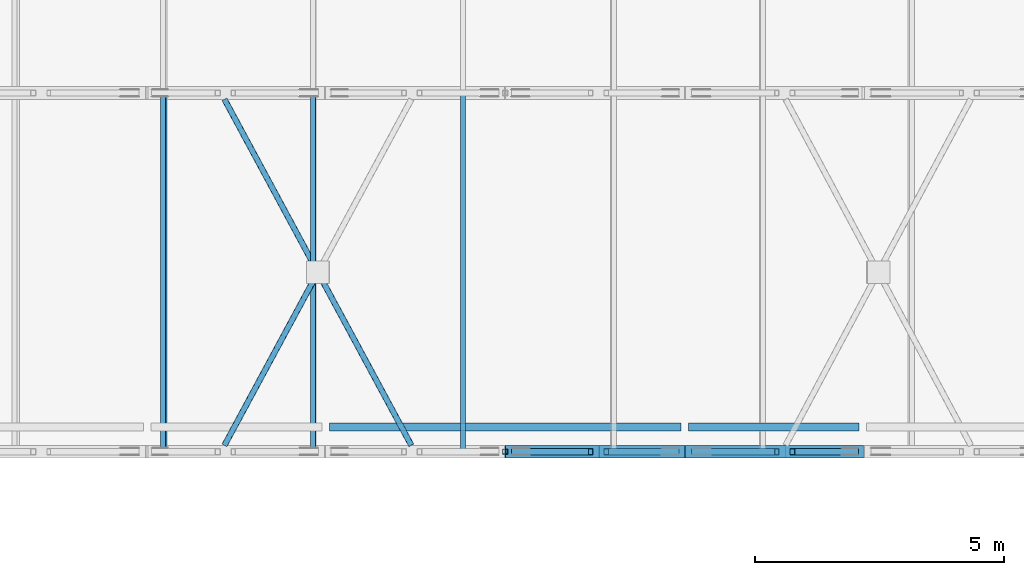
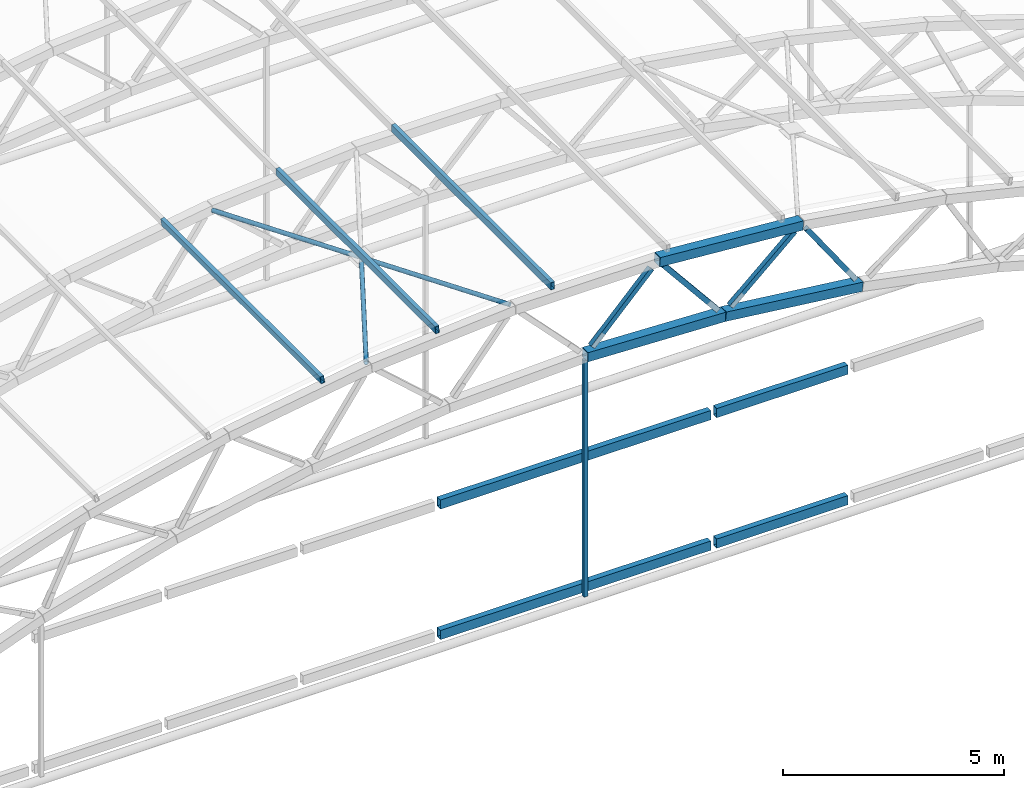
# One storey, part 48 of 127: 13 members, 4 beams.
"""IFC4 building model written with IfcOpenShell, lengths in metres."""

from ifc_helpers import new_model, si_unit, direction, frame, origin, origin_2d, place, context, subcontext, project, spatial, hollow_rectangle, hollow_circle, extrude, material, material_profile, profile_set, type_object, element, save


model = new_model("IFC4")

# Units and contexts
model_context = context("Model", 3, precision=1e-05, world=origin(), true_north=direction((0.0, 1.0)))
body_context = subcontext(model_context, "Body", "Model", "MODEL_VIEW")
ifc_project = project(units=[si_unit("LENGTHUNIT", "METRE"), si_unit("AREAUNIT", "SQUARE_METRE"), si_unit("VOLUMEUNIT", "CUBIC_METRE"), si_unit("PLANEANGLEUNIT", "RADIAN"), si_unit("MASSUNIT", "GRAM", prefix="KILO")], contexts=[model_context])

# Site, building, storey
site_placement = place(None, origin())
site = spatial("IfcSite", under=ifc_project, at=site_placement, CompositionType="ELEMENT")
building_placement = place(site_placement, origin())
building = spatial("IfcBuilding", under=site, at=building_placement, Name="Verrick Yard Athletic Hall", CompositionType="ELEMENT")
storey_placement = place(building_placement, frame((0.0, 0.0, 14.0)))
storey = spatial("IfcBuildingStorey", under=building, at=storey_placement, Name="L03", CompositionType="ELEMENT", Elevation=14.0)

# Members
ifc_material = material(Name="Structural steel HSS Class C 350W (CSA G40.20/G40.21)", Category="steel")
ifc_material_profile_1 = material_profile(ifc_material, hollow_rectangle(XDim=0.25390625, YDim=0.25390625, WallThickness=0.009521484375, at=origin_2d()), Name="HSS254x254x9.5")
ifc_profile_set_1 = profile_set([ifc_material_profile_1], Name="Structural steel HSS Class C 350W (CSA G40.20/G40.21)")
member_type_1 = type_object("IfcMemberType", Name="HB bottom chord HSS254x254x9.5", PredefinedType="CHORD", material=ifc_profile_set_1)
member_1_placement = place(storey_placement, frame((145.60498046875, 72.0, 6.757080078125), z_axis=(0.999229759959, 0.0, -0.039241391579), x_axis=(0.0, 1.0, 0.0)))
element("IfcMember", 1, at=member_1_placement, inside=storey, type_object=member_type_1, Name="Truss TA1 bottom chord 8", PredefinedType="CHORD", context=body_context, shape_type="SweptSolid", body=[
    extrude(hollow_rectangle(XDim=0.25390625, YDim=0.25390625, WallThickness=0.009521484375, at=origin_2d()), origin(), (0.0, 0.0, 1.0), 3.595947265625),
])
member_2_placement = place(storey_placement, frame((149.208251953125, 72.0, 6.615234375), z_axis=(0.993094882284, 0.0, -0.117313915545), x_axis=(0.0, 1.0, 0.0)))
element("IfcMember", 2, at=member_2_placement, inside=storey, type_object=member_type_1, Name="Truss TA1 bottom chord 9", PredefinedType="CHORD", context=body_context, shape_type="SweptSolid", body=[
    extrude(hollow_rectangle(XDim=0.25390625, YDim=0.25390625, WallThickness=0.009521484375, at=origin_2d()), origin(), (0.0, 0.0, 1.0), 3.59619140625),
])
ifc_material_profile_2 = material_profile(ifc_material, hollow_rectangle(XDim=0.1015625, YDim=0.203125, WallThickness=0.009521484375, at=origin_2d()), Name="HSS203x102x9.5")
ifc_profile_set_2 = profile_set([ifc_material_profile_2], Name="Structural steel HSS Class C 350W (CSA G40.20/G40.21)")
member_type_2 = type_object("IfcMemberType", Name="HB purlin HSS203x102x9.5", PredefinedType="PURLIN", material=ifc_profile_set_2)
for number, where, z_axis, x_axis, name in (
    (3, (138.750244140625, 72.0, 8.464599609375), (0.0, 1.0, 0.0), (-0.987728086354, 0.0, -0.156183313539), "HB-PU-A-1-7"),
    (4, (141.747802734375, 72.0, 8.794677734375), (0.0, 1.0, 0.0), (-0.996927304266, 0.0, -0.078332305011), "HB-PU-A-1-8"),
    (5, (144.759765625, 72.0, 8.948974609375), (0.0, 1.0, 0.0), (-1.0, 0.0, 0.0), "HB-PU-A-1-9"),
):
    element("IfcMember", number, at=place(storey_placement, frame(where, z_axis=z_axis, x_axis=x_axis)), inside=storey, type_object=member_type_2, Name=name, PredefinedType="PURLIN", context=body_context, shape_type="SweptSolid", body=[
        extrude(hollow_rectangle(XDim=0.1015625, YDim=0.203125, WallThickness=0.009521484375, at=origin_2d()), origin(), (0.0, 0.0, 1.0), 7.199951171875),
    ])
ifc_material_profile_3 = material_profile(ifc_material, hollow_circle(Radius=0.05712890625, WallThickness=0.00634765625, at=origin_2d()), Name="HSS114x6.4")
ifc_profile_set_3 = profile_set([ifc_material_profile_3], Name="Structural steel HSS Class C 350W (CSA G40.20/G40.21)")
member_type_3 = type_object("IfcMemberType", Name="HB roof brace HSS114x6.4", PredefinedType="BRACE", material=ifc_profile_set_3)
member_3_placement = place(storey_placement, frame((139.96728515625, 72.126953125, 8.425537109375), z_axis=(0.474826532097, 0.879289576489, 0.037277407294), x_axis=(-0.879901146581, 0.475156787013, 0.0)))
element("IfcMember", 6, at=member_3_placement, inside=storey, type_object=member_type_3, Name="HB-BR-A-1-5b1", PredefinedType="BRACE", context=body_context, shape_type="SweptSolid", body=[
    extrude(hollow_circle(Radius=0.05712890625, WallThickness=0.00634765625, at=origin_2d()), origin(), (0.0, 0.0, 1.0), 3.844482421875),
])
member_4_placement = place(storey_placement, frame((143.718505859375, 72.126953125, 8.72021484375), z_axis=(-0.474853160212, 0.879274146514, -0.037302164945), x_axis=(-0.879886519322, -0.475183872953, 0.0)))
element("IfcMember", 7, at=member_4_placement, inside=storey, type_object=member_type_3, Name="HB-BR-A-1-5a", PredefinedType="BRACE", context=body_context, shape_type="SweptSolid", body=[
    extrude(hollow_circle(Radius=0.05712890625, WallThickness=0.00634765625, at=origin_2d()), origin(), (0.0, 0.0, 1.0), 7.899658203125),
])
ifc_material_profile_4 = material_profile(ifc_material, hollow_rectangle(XDim=0.25390625, YDim=0.25390625, WallThickness=0.009521484375, at=origin_2d()), Name="HSS254x254x9.5")
ifc_profile_set_4 = profile_set([ifc_material_profile_4], Name="Structural steel HSS Class C 350W (CSA G40.20/G40.21)")
member_type_4 = type_object("IfcMemberType", Name="HB top chord HSS254x254x9.5", PredefinedType="CHORD", material=ifc_profile_set_4)
member_5_placement = place(storey_placement, frame((147.486328125, 72.0, 8.719970703125), z_axis=(0.996928028323, 0.0, -0.078323089468), x_axis=(0.0, 1.0, 0.0)))
element("IfcMember", 8, at=member_5_placement, inside=storey, type_object=member_type_4, Name="Truss TA1 top chord 9", PredefinedType="CHORD", context=body_context, shape_type="SweptSolid", body=[
    extrude(hollow_rectangle(XDim=0.25390625, YDim=0.25390625, WallThickness=0.009521484375, at=origin_2d()), origin(), (0.0, 0.0, 1.0), 3.7529296875),
])
ifc_material_profile_5 = material_profile(ifc_material, hollow_rectangle(XDim=0.1015625, YDim=0.1015625, WallThickness=0.00634765625, at=origin_2d()), Name="HSS102x102x6.4")
ifc_profile_set_5 = profile_set([ifc_material_profile_5], Name="Structural steel HSS Class C 350W (CSA G40.20/G40.21)")
member_type_5 = type_object("IfcMemberType", Name="HB truss hanger HSS102x102x6.4", PredefinedType="MEMBER", material=ifc_profile_set_5)
member_6_placement = place(storey_placement, frame((145.60009765625, 72.0, 6.628173828125), z_axis=(0.0, 0.0, -1.0), x_axis=(0.0, -1.0, 0.0)))
element("IfcMember", 9, at=member_6_placement, inside=storey, type_object=member_type_5, Name="Truss TA1 hanger 2", PredefinedType="MEMBER", context=body_context, shape_type="SweptSolid", body=[
    extrude(hollow_rectangle(XDim=0.1015625, YDim=0.1015625, WallThickness=0.00634765625, at=origin_2d()), origin(), (0.0, 0.0, 1.0), 6.5185546875),
])
ifc_material_profile_6 = material_profile(ifc_material, hollow_rectangle(XDim=0.126953125, YDim=0.126953125, WallThickness=0.009521484375, at=origin_2d()), Name="HSS127x127x9.5")
ifc_profile_set_6 = profile_set([ifc_material_profile_6], Name="Structural steel HSS Class C 350W (CSA G40.20/G40.21)")
member_type_6 = type_object("IfcMemberType", Name="HB truss web HSS127x127x9.5", PredefinedType="BRACE", material=ifc_profile_set_6)
member_7_placement = place(storey_placement, frame((145.772216796875, 72.0, 6.936767578125), z_axis=(0.691917233653, 0.0, 0.721976829112), x_axis=(0.0, 1.0, 0.0)))
element("IfcMember", 10, at=member_7_placement, inside=storey, type_object=member_type_6, Name="Truss TA1 web 15", PredefinedType="BRACE", context=body_context, shape_type="SweptSolid", body=[
    extrude(hollow_rectangle(XDim=0.126953125, YDim=0.126953125, WallThickness=0.009521484375, at=origin_2d()), origin(), (0.0, 0.0, 1.0), 2.2333984375),
])
for number, where, z_axis, x_axis, name in (
    (11, (147.63134765625, 72.0, 8.537109375), (0.633202076169, 0.0, -0.773986518445), (0.0, 1.0, 0.0), "Truss TA1 web 16"),
    (12, (149.388916015625, 72.0, 6.781494140625), (0.746340924984, 0.0, 0.665563838932), (0.0, 1.0, 0.0), "Truss TA1 web 17"),
    (13, (151.367919921875, 72.0, 8.231201171875), (0.570664111571, 0.0, -0.821183579819), (0.0, 1.0, 0.0), "Truss TA1 web 18"),
):
    element("IfcMember", number, at=place(storey_placement, frame(where, z_axis=z_axis, x_axis=x_axis)), inside=storey, type_object=member_type_6, Name=name, PredefinedType="BRACE", context=body_context, shape_type="SweptSolid", body=[
        extrude(hollow_rectangle(XDim=0.126953125, YDim=0.126953125, WallThickness=0.009521484375, at=origin_2d()), origin(), (0.0, 0.0, 1.0), 2.233642578125),
    ])

# Beams
ifc_material_profile_7 = material_profile(ifc_material, hollow_rectangle(XDim=0.15234375, YDim=0.25390625, WallThickness=0.009521484375, at=origin_2d()), Name="HSS254x152x9.5")
ifc_profile_set_7 = profile_set([ifc_material_profile_7], Name="Structural steel HSS Class C 350W (CSA G40.20/G40.21)")
beam_type = type_object("IfcBeamType", Name="HB wind girder HSS254x152x9.5", PredefinedType="BEAM", material=ifc_profile_set_7)
beam_1_placement = place(storey_placement, frame((142.072998046875, 72.49462890625, 0.0), z_axis=(1.0, 0.0, 0.0), x_axis=(0.0, 1.0, 0.0)))
element("IfcBeam", 14, at=beam_1_placement, inside=storey, type_object=beam_type, Name="HB-WG-AS-140-5", PredefinedType="BEAM", context=body_context, shape_type="SweptSolid", body=[
    extrude(hollow_rectangle(XDim=0.15234375, YDim=0.25390625, WallThickness=0.009521484375, at=origin_2d()), origin(), (0.0, 0.0, 1.0), 7.05419921875),
])
beam_2_placement = place(storey_placement, frame((149.279541015625, 72.49462890625, 0.0), z_axis=(1.0, 0.0, 0.0), x_axis=(0.0, 1.0, 0.0)))
element("IfcBeam", 15, at=beam_2_placement, inside=storey, type_object=beam_type, Name="HB-WG-AS-140-6", PredefinedType="BEAM", context=body_context, shape_type="SweptSolid", body=[
    extrude(hollow_rectangle(XDim=0.15234375, YDim=0.25390625, WallThickness=0.009521484375, at=origin_2d()), origin(), (0.0, 0.0, 1.0), 3.4287109375),
])
beam_3_placement = place(storey_placement, frame((142.072998046875, 72.49462890625, 3.60009765625), z_axis=(1.0, 0.0, 0.0), x_axis=(0.0, 1.0, 0.0)))
element("IfcBeam", 16, at=beam_3_placement, inside=storey, type_object=beam_type, Name="HB-WG-AS-176-4", PredefinedType="BEAM", context=body_context, shape_type="SweptSolid", body=[
    extrude(hollow_rectangle(XDim=0.15234375, YDim=0.25390625, WallThickness=0.009521484375, at=origin_2d()), origin(), (0.0, 0.0, 1.0), 7.05419921875),
])
beam_4_placement = place(storey_placement, frame((149.279541015625, 72.49462890625, 3.60009765625), z_axis=(1.0, 0.0, 0.0), x_axis=(0.0, 1.0, 0.0)))
element("IfcBeam", 17, at=beam_4_placement, inside=storey, type_object=beam_type, Name="HB-WG-AS-176-5", PredefinedType="BEAM", context=body_context, shape_type="SweptSolid", body=[
    extrude(hollow_rectangle(XDim=0.15234375, YDim=0.25390625, WallThickness=0.009521484375, at=origin_2d()), origin(), (0.0, 0.0, 1.0), 3.4287109375),
])

save(model, "model.ifc")
